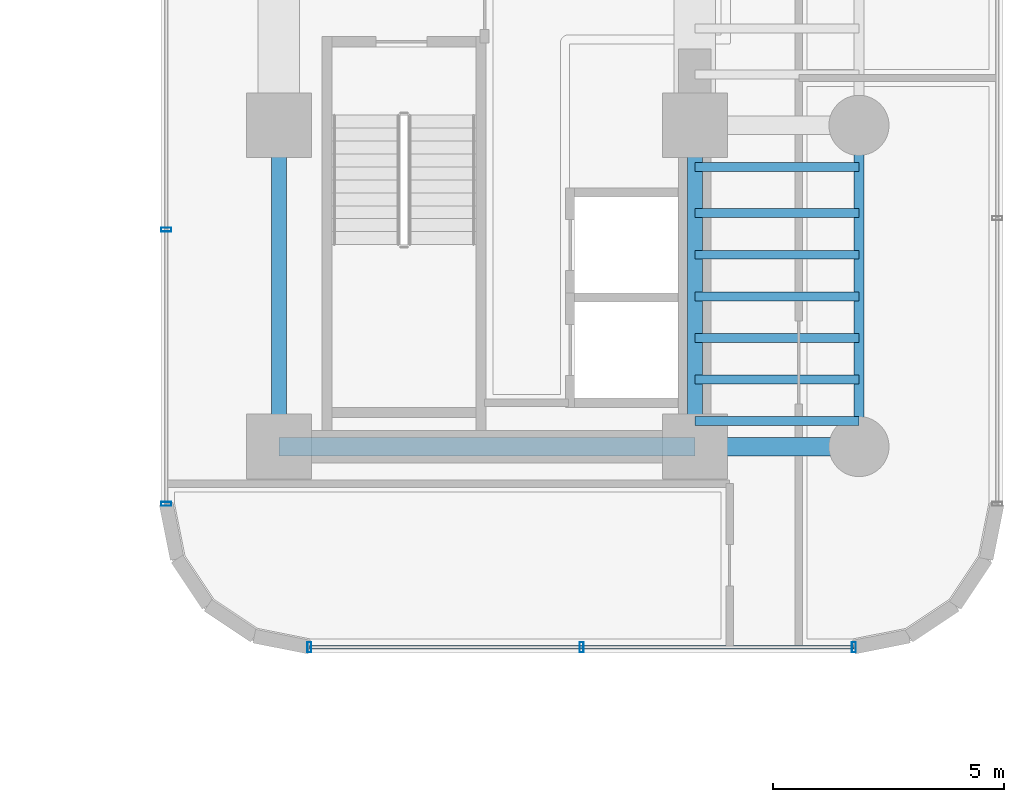
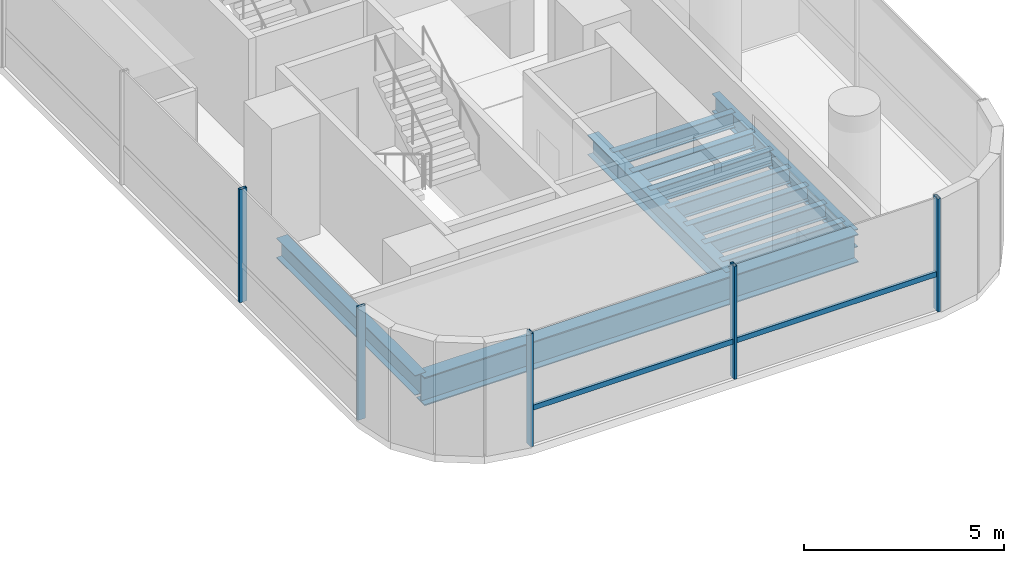
# One storey, part 13 of 40: 12 beams, 6 members, 2 elements without a shape of their own.
"""IFC4 building model written with IfcOpenShell, lengths in metres."""

from ifc_helpers import new_model, si_unit, direction, frame, origin, origin_2d, place, context, subcontext, project, spatial, hollow_rectangle, i_section, extrude, source, transform, mapped, material, material_profile, profile_set, type_object, element, aggregate, save


model = new_model("IFC4")

# Units and contexts
model_context = context("Model", 3, precision=1e-05, world=origin(), true_north=direction((0.0, 1.0)))
body_context = subcontext(model_context, "Body", "Model", "MODEL_VIEW")
ifc_project = project(units=[si_unit("LENGTHUNIT", "METRE"), si_unit("AREAUNIT", "SQUARE_METRE"), si_unit("VOLUMEUNIT", "CUBIC_METRE"), si_unit("PLANEANGLEUNIT", "RADIAN"), si_unit("MASSUNIT", "GRAM", prefix="KILO")], contexts=[model_context])

# Site, building, storey
site_placement = place(None, origin())
site = spatial("IfcSite", under=ifc_project, at=site_placement, CompositionType="ELEMENT")
building_placement = place(site_placement, origin())
building = spatial("IfcBuilding", under=site, at=building_placement, Name="Valdorenza Pilgrim Sanctuary Tower", CompositionType="ELEMENT")
storey_placement = place(building_placement, frame((0.0, 0.0, 92.60009765625)))
storey = spatial("IfcBuildingStorey", under=building, at=storey_placement, Name="L23", CompositionType="ELEMENT", Elevation=92.60009765625)

# Beams
ifc_material_1 = material(Name="Steel ASTM A992 Grade 50", Category="steel")
ifc_material_profile_1 = material_profile(ifc_material_1, i_section(OverallWidth=0.323974609375, OverallDepth=0.611083984375, WebThickness=0.0126953125, FlangeThickness=0.01904296875, at=origin_2d()), Name="W24X104")
ifc_profile_set_1 = profile_set([ifc_material_profile_1], Name="Steel ASTM A992 Grade 50")
beam_type_1 = type_object("IfcBeamType", Name="STR-BM-GRD-W24B", PredefinedType="BEAM", material=ifc_profile_set_1)
shared_shape_1 = source(origin(), body_context, "Body", "SweptSolid", [
    extrude(i_section(OverallWidth=0.323974609375, OverallDepth=0.611083984375, WebThickness=0.0126953125, FlangeThickness=0.01904296875, at=origin_2d()), origin(), (0.0, 0.0, 1.0), 6.949951171875),
])
for number, where, z_axis, x_axis, name in (
    (1, (15.85009765625, -9.550048828125, -0.545654296875), (0.0, 1.0, 0.0), (-1.0, 0.0, 0.0), "L23 Core Tie Girder CB-W-S1M0"),
    (2, (24.85009765625, -9.550048828125, -0.545654296875), (0.0, 1.0, 0.0), (-1.0, 0.0, 0.0), "L23 Core Tie Girder CB-E-S1M0"),
):
    element("IfcBeam", number, at=place(storey_placement, frame(where, z_axis=z_axis, x_axis=x_axis)), inside=storey, type_object=beam_type_1, Name=name, PredefinedType="BEAM", context=body_context, shape_type="MappedRepresentation", body=[
        mapped(shared_shape_1, transform((0.0, 0.0, 0.0), x_axis=(1.0, 0.0, 0.0), y_axis=(0.0, 1.0, 0.0), z_axis=(0.0, 0.0, 1.0), scale=1.0)),
    ])
ifc_material_profile_2 = material_profile(ifc_material_1, i_section(OverallWidth=0.214111328125, OverallDepth=0.549072265625, WebThickness=0.0146484375, FlangeThickness=0.023681640625, at=origin_2d()), Name="W21X93")
ifc_profile_set_2 = profile_set([ifc_material_profile_2], Name="Steel ASTM A992 Grade 50")
beam_type_2 = type_object("IfcBeamType", Name="STR-BM-SPN-W21A", PredefinedType="SPANDREL", material=ifc_profile_set_2)
shared_shape_2 = source(origin(), body_context, "Body", "SweptSolid", [
    extrude(i_section(OverallWidth=0.214111328125, OverallDepth=0.549072265625, WebThickness=0.0146484375, FlangeThickness=0.023681640625, at=origin_2d()), origin(), (0.0, 0.0, 1.0), 6.949951171875),
])
beam_1_placement = place(storey_placement, frame((28.39990234375, -9.550048828125, -0.5146484375), z_axis=(0.0, 1.0, 0.0), x_axis=(-1.0, 0.0, 0.0)))
element("IfcBeam", 3, at=beam_1_placement, inside=storey, type_object=beam_type_2, Name="L23 Spandrel Beam WB-E-S1M0", PredefinedType="SPANDREL", context=body_context, shape_type="MappedRepresentation", body=[
    mapped(shared_shape_2, transform((0.0, 0.0, 0.0), x_axis=(1.0, 0.0, 0.0), y_axis=(0.0, 1.0, 0.0), z_axis=(0.0, 0.0, 1.0), scale=1.0)),
])
ifc_material_profile_3 = material_profile(ifc_material_1, i_section(OverallWidth=0.193115234375, OverallDepth=0.466064453125, WebThickness=0.011474609375, FlangeThickness=0.01904296875, at=origin_2d()), Name="W18X65")
ifc_profile_set_3 = profile_set([ifc_material_profile_3], Name="Steel ASTM A992 Grade 50")
beam_type_3 = type_object("IfcBeamType", Name="STR-BM-JST-W18A", PredefinedType="JOIST", material=ifc_profile_set_3)
shared_shape_3 = source(origin(), body_context, "Body", "SweptSolid", [
    extrude(i_section(OverallWidth=0.193115234375, OverallDepth=0.466064453125, WebThickness=0.011474609375, FlangeThickness=0.01904296875, at=origin_2d()), origin(), (0.0, 0.0, 1.0), 3.5498046875),
])
for number, where, z_axis, x_axis, name in (
    (4, (24.85009765625, -9.0, -0.47314453125), (1.0, 0.0, 0.0), (0.0, 1.0, 0.0), "L23 Composite Floor Joist JST-WB-1"),
    (5, (24.85009765625, -8.10009765625, -0.47314453125), (1.0, 0.0, 0.0), (0.0, 1.0, 0.0), "L23 Composite Floor Joist JST-WB-2"),
    (6, (24.85009765625, -7.199951171875, -0.47314453125), (1.0, 0.0, 0.0), (0.0, 1.0, 0.0), "L23 Composite Floor Joist JST-WB-3"),
    (7, (24.85009765625, -6.300048828125, -0.47314453125), (1.0, 0.0, 0.0), (0.0, 1.0, 0.0), "L23 Composite Floor Joist JST-WB-4"),
    (8, (24.85009765625, -5.39990234375, -0.47314453125), (1.0, 0.0, 0.0), (0.0, 1.0, 0.0), "L23 Composite Floor Joist JST-WB-5"),
    (9, (24.85009765625, -4.5, -0.47314453125), (1.0, 0.0, 0.0), (0.0, 1.0, 0.0), "L23 Composite Floor Joist JST-WB-6"),
    (10, (24.85009765625, -3.5, -0.47314453125), (1.0, 0.0, 0.0), (0.0, 1.0, 0.0), "L23 Composite Floor Joist JST-WB-7"),
):
    element("IfcBeam", number, at=place(storey_placement, frame(where, z_axis=z_axis, x_axis=x_axis)), inside=storey, type_object=beam_type_3, Name=name, PredefinedType="JOIST", context=body_context, shape_type="MappedRepresentation", body=[
        mapped(shared_shape_3, transform((0.0, 0.0, 0.0), x_axis=(1.0, 0.0, 0.0), y_axis=(0.0, 1.0, 0.0), z_axis=(0.0, 0.0, 1.0), scale=1.0)),
    ])
ifc_material_profile_4 = material_profile(ifc_material_1, i_section(OverallWidth=0.39990234375, OverallDepth=0.862060546875, WebThickness=0.019775390625, FlangeThickness=0.032470703125, at=origin_2d()), Name="W33X221")
ifc_profile_set_4 = profile_set([ifc_material_profile_4], Name="Steel ASTM A992 Grade 50")
beam_type_4 = type_object("IfcBeamType", Name="STR-BM-GRD-W33", PredefinedType="BEAM", material=ifc_profile_set_4)
shared_shape_4 = source(origin(), body_context, "Body", "SweptSolid", [
    extrude(i_section(OverallWidth=0.39990234375, OverallDepth=0.862060546875, WebThickness=0.019775390625, FlangeThickness=0.032470703125, at=origin_2d()), origin(), (0.0, 0.0, 1.0), 9.0),
])
beam_2_placement = place(storey_placement, frame((15.85009765625, -9.550048828125, -0.671142578125), z_axis=(1.0, 0.0, 0.0), x_axis=(0.0, 1.0, 0.0)))
element("IfcBeam", 11, at=beam_2_placement, inside=storey, type_object=beam_type_4, Name="L23 Floor Girder CB-XC-S1", PredefinedType="BEAM", context=body_context, shape_type="MappedRepresentation", body=[
    mapped(shared_shape_4, transform((0.0, 0.0, 0.0), x_axis=(1.0, 0.0, 0.0), y_axis=(0.0, 1.0, 0.0), z_axis=(0.0, 0.0, 1.0), scale=1.0)),
])
shared_shape_5 = source(origin(), body_context, "Body", "SweptSolid", [
    extrude(i_section(OverallWidth=0.39990234375, OverallDepth=0.862060546875, WebThickness=0.019775390625, FlangeThickness=0.032470703125, at=origin_2d()), origin(), (0.0, 0.0, 1.0), 3.5498046875),
])
beam_3_placement = place(storey_placement, frame((24.85009765625, -9.550048828125, -0.671142578125), z_axis=(1.0, 0.0, 0.0), x_axis=(0.0, 1.0, 0.0)))
element("IfcBeam", 12, at=beam_3_placement, inside=storey, type_object=beam_type_4, Name="L23 Floor Girder WB-XE-S1", PredefinedType="BEAM", context=body_context, shape_type="MappedRepresentation", body=[
    mapped(shared_shape_5, transform((0.0, 0.0, 0.0), x_axis=(1.0, 0.0, 0.0), y_axis=(0.0, 1.0, 0.0), z_axis=(0.0, 0.0, 1.0), scale=1.0)),
])

# Curtain wall, members
ifc_material_2 = material(Name="Curtain-wall IGU glazing", Category="glass")
curtain_wall_type = type_object("IfcCurtainWallType", Name="CW-SYS-03", PredefinedType="NOTDEFINED", material=ifc_material_2)
curtain_wall_1_placement = place(storey_placement, origin())
curtain_wall_1 = element("IfcCurtainWall", 13, at=curtain_wall_1_placement, inside=storey, type_object=curtain_wall_type, Name="L23 Curtain Wall CW-L23-1-26", PredefinedType="NOTDEFINED")
ifc_material_3 = material(Name="Anodised aluminium AW-6060", Category="aluminium")
ifc_material_profile_5 = material_profile(ifc_material_3, hollow_rectangle(XDim=0.0849609375, YDim=0.219970703125, WallThickness=0.0048828125, at=origin_2d()), Name="ALU-M 220x85x5")
ifc_profile_set_5 = profile_set([ifc_material_profile_5], Name="Anodised aluminium AW-6060")
member_type_1 = type_object("IfcMemberType", Name="CW-MUL-03", PredefinedType="MULLION", material=ifc_profile_set_5)
shared_shape_6 = source(origin(), body_context, "Body", "SweptSolid", [
    extrude(hollow_rectangle(XDim=0.0849609375, YDim=0.219970703125, WallThickness=0.0048828125, at=origin_2d()), origin(), (0.0, 0.0, 1.0), 3.4599609375),
])
member_1_placement = place(storey_placement, frame((28.289306640625, -13.889892578125, 0.0), z_axis=(0.0, 0.0, 1.0), x_axis=(-1.0, 0.0, 0.0)))
member_1 = element("IfcMember", 14, at=member_1_placement, type_object=member_type_1, Name="CW-L23-1-26 Mullion 1", PredefinedType="MULLION", context=body_context, shape_type="MappedRepresentation", body=[
    mapped(shared_shape_6, transform((0.0, 0.0, 0.0), x_axis=(1.0, 0.0, 0.0), y_axis=(0.0, 1.0, 0.0), z_axis=(0.0, 0.0, 1.0), scale=1.0)),
])
member_2_placement = place(storey_placement, frame((22.39990234375, -13.889892578125, 0.0), z_axis=(0.0, 0.0, 1.0), x_axis=(-1.0, 0.0, 0.0)))
member_2 = element("IfcMember", 15, at=member_2_placement, type_object=member_type_1, Name="CW-L23-1-26 Mullion 2", PredefinedType="MULLION", context=body_context, shape_type="MappedRepresentation", body=[
    mapped(shared_shape_6, transform((0.0, 0.0, 0.0), x_axis=(1.0, 0.0, 0.0), y_axis=(0.0, 1.0, 0.0), z_axis=(0.0, 0.0, 1.0), scale=1.0)),
])
member_3_placement = place(storey_placement, frame((16.5107421875, -13.889892578125, 0.0), z_axis=(0.0, 0.0, 1.0), x_axis=(-1.0, 0.0, 0.0)))
member_3 = element("IfcMember", 16, at=member_3_placement, type_object=member_type_1, Name="CW-L23-1-26 Mullion 3", PredefinedType="MULLION", context=body_context, shape_type="MappedRepresentation", body=[
    mapped(shared_shape_6, transform((0.0, 0.0, 0.0), x_axis=(1.0, 0.0, 0.0), y_axis=(0.0, 1.0, 0.0), z_axis=(0.0, 0.0, 1.0), scale=1.0)),
])

curtain_wall_2_placement = place(storey_placement, origin())
curtain_wall_2 = element("IfcCurtainWall", 17, at=curtain_wall_2_placement, inside=storey, type_object=curtain_wall_type, Name="L23 Curtain Wall CW-L23-1-31", PredefinedType="NOTDEFINED")
member_4_placement = place(storey_placement, frame((13.409912109375, -10.789306640625, 0.0), z_axis=(0.0, 0.0, 1.0), x_axis=(0.0, 1.0, 0.0)))
member_4 = element("IfcMember", 18, at=member_4_placement, type_object=member_type_1, Name="CW-L23-1-31 Mullion 1", PredefinedType="MULLION", context=body_context, shape_type="MappedRepresentation", body=[
    mapped(shared_shape_6, transform((0.0, 0.0, 0.0), x_axis=(1.0, 0.0, 0.0), y_axis=(0.0, 1.0, 0.0), z_axis=(0.0, 0.0, 1.0), scale=1.0)),
])
member_5_placement = place(storey_placement, frame((13.409912109375, -4.85595703125, 0.0), z_axis=(0.0, 0.0, 1.0), x_axis=(0.0, 1.0, 0.0)))
member_5 = element("IfcMember", 19, at=member_5_placement, type_object=member_type_1, Name="CW-L23-1-31 Mullion 2", PredefinedType="MULLION", context=body_context, shape_type="MappedRepresentation", body=[
    mapped(shared_shape_6, transform((0.0, 0.0, 0.0), x_axis=(1.0, 0.0, 0.0), y_axis=(0.0, 1.0, 0.0), z_axis=(0.0, 0.0, 1.0), scale=1.0)),
])
aggregate(curtain_wall_2, [member_4, member_5])

# Member
ifc_material_profile_6 = material_profile(ifc_material_3, hollow_rectangle(XDim=0.074951171875, YDim=0.159912109375, WallThickness=0.00390625, at=origin_2d()), Name="ALU-T 160x75x4")
ifc_profile_set_6 = profile_set([ifc_material_profile_6], Name="Anodised aluminium AW-6060")
member_type_2 = type_object("IfcMemberType", Name="CW-TRN-03", PredefinedType="USERDEFINED", material=ifc_profile_set_6)
shared_shape_7 = source(origin(), body_context, "Body", "SweptSolid", [
    extrude(hollow_rectangle(XDim=0.074951171875, YDim=0.159912109375, WallThickness=0.00390625, at=origin_2d()), origin(), (0.0, 0.0, 1.0), 11.778564453125),
])
member_6_placement = place(storey_placement, frame((28.289306640625, -13.889892578125, 1.119873046875), z_axis=(-1.0, 0.0, 0.0), x_axis=(0.0, -1.0, 0.0)))
member_6 = element("IfcMember", 20, at=member_6_placement, type_object=member_type_2, Name="CW-L23-1-26 Transom 1", ObjectType="TRANSOM", PredefinedType="USERDEFINED", context=body_context, shape_type="MappedRepresentation", body=[
    mapped(shared_shape_7, transform((0.0, 0.0, 0.0), x_axis=(1.0, 0.0, 0.0), y_axis=(0.0, 1.0, 0.0), z_axis=(0.0, 0.0, 1.0), scale=1.0)),
])

aggregate(curtain_wall_1, [member_1, member_2, member_3, member_6])

save(model, "model.ifc")
